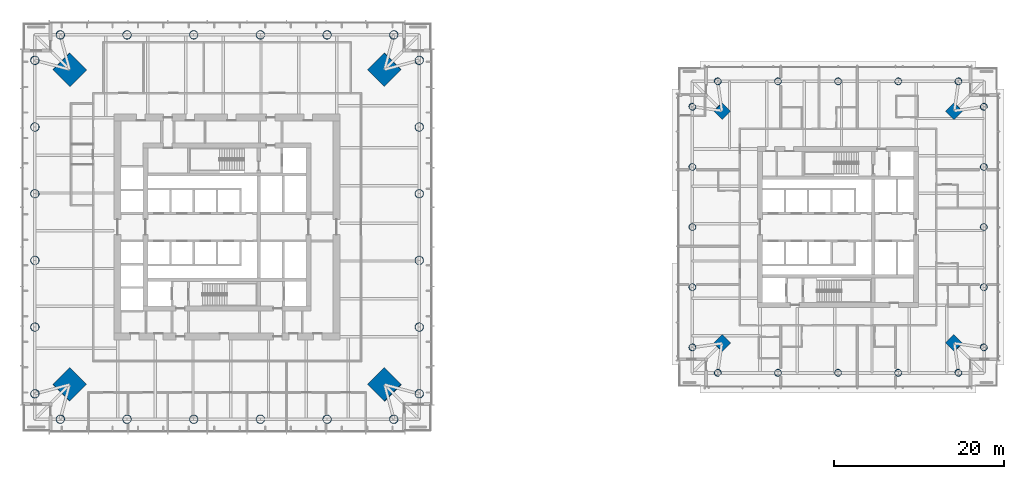
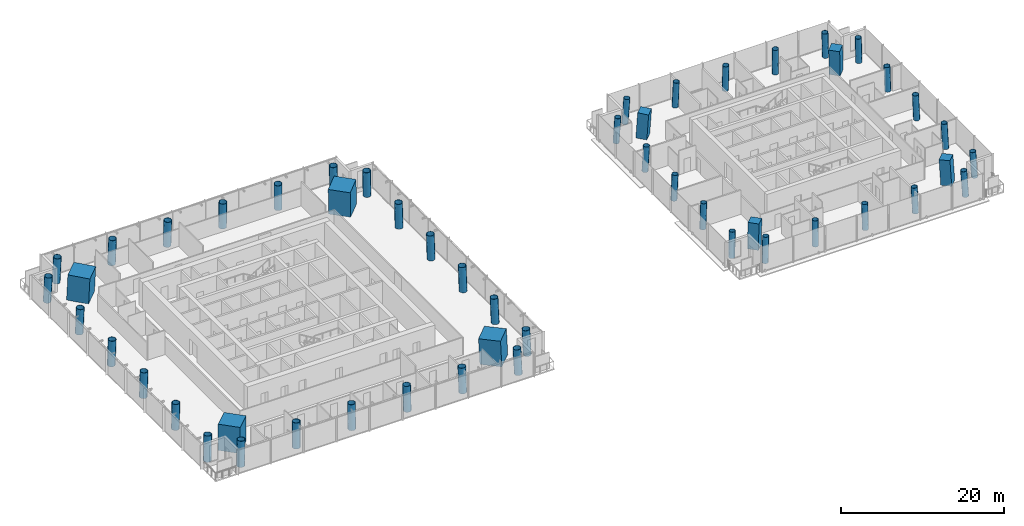
# One storey, part 1 of 22: 52 columns.
"""IFC4 building model written with IfcOpenShell, lengths in metres."""

from ifc_helpers import new_model, si_unit, direction, frame, origin, origin_2d, place, context, subcontext, project, spatial, rectangle, hollow_circle, extrude, material, material_profile, profile_set, type_object, element, save


model = new_model("IFC4")

# Units and contexts
model_context = context("Model", 3, precision=1e-05, world=origin(), true_north=direction((0.0, 1.0)))
body_context = subcontext(model_context, "Body", "Model", "MODEL_VIEW")
ifc_project = project(units=[si_unit("LENGTHUNIT", "METRE"), si_unit("AREAUNIT", "SQUARE_METRE"), si_unit("VOLUMEUNIT", "CUBIC_METRE"), si_unit("PLANEANGLEUNIT", "RADIAN"), si_unit("MASSUNIT", "GRAM", prefix="KILO")], contexts=[model_context])

# Site, building, storey
site_placement = place(None, origin())
site = spatial("IfcSite", under=ifc_project, at=site_placement, CompositionType="ELEMENT")
building_placement = place(site_placement, origin())
building = spatial("IfcBuilding", under=site, at=building_placement, Name="Ostroluk Exchange", CompositionType="ELEMENT")
storey_placement = place(building_placement, frame((0.0, 0.0, 62.800048828125)))
storey = spatial("IfcBuildingStorey", under=building, at=storey_placement, Name="L15", CompositionType="ELEMENT", Elevation=62.800048828125)

# Columns
ifc_material_1 = material(Name="Concrete C50/60", Category="concrete")
ifc_material_profile_1 = material_profile(ifc_material_1, rectangle(XDim=1.39990234375, YDim=1.39990234375, at=origin_2d()), Name="RC 1400x1400")
ifc_profile_set_1 = profile_set([ifc_material_profile_1], Name="Concrete C50/60")
column_type_1 = type_object("IfcColumnType", Name="Mega column RC 1400x1400", PredefinedType="COLUMN", material=ifc_profile_set_1)
for number, where, z_axis, x_axis, name in (
    (1, (130.6982421875, 59.6982421875, 0.0), (-0.043029647111, -0.043029647111, 0.998146732169), (0.707106781187, -0.707106781187, 0.0), "T2 mega column NE"),
    (2, (103.3017578125, 59.6982421875, 0.0), (0.043029647111, -0.043029647111, 0.998146732169), (0.707106781187, 0.707106781187, 0.0), "T2 mega column NW"),
    (3, (103.3017578125, 32.3017578125, 0.0), (0.043029647111, 0.043029647111, 0.998146732169), (-0.707106781187, 0.707106781187, 0.0), "T2 mega column SW"),
    (4, (130.6982421875, 32.3017578125, 0.0), (-0.043029647111, 0.043029647111, 0.998146732169), (-0.707106781187, -0.707106781187, 0.0), "T2 mega column SE"),
):
    element("IfcColumn", number, at=place(storey_placement, frame(where, z_axis=z_axis, x_axis=x_axis)), inside=storey, type_object=column_type_1, Name=name, PredefinedType="COLUMN", context=body_context, shape_type="SweptSolid", body=[
        extrude(rectangle(XDim=1.39990234375, YDim=1.39990234375, at=origin_2d()), origin(), (0.0, 0.0, 1.0), 3.80712890625),
    ])
ifc_material_2 = material(Name="Concrete C50/60", Category="concrete")
ifc_material_profile_2 = material_profile(ifc_material_2, rectangle(XDim=2.800048828125, YDim=2.800048828125, at=origin_2d()), Name="RC 2800x2800")
ifc_profile_set_2 = profile_set([ifc_material_profile_2], Name="Concrete C50/60")
column_type_2 = type_object("IfcColumnType", Name="Mega column RC 2800x2800", PredefinedType="COLUMN", material=ifc_profile_set_2)
for number, where, z_axis, x_axis, name in (
    (5, (63.564208984375, 64.564208984375, 0.0), (-0.031898107953, -0.031898107953, 0.998981992539), (0.707106781187, -0.707106781187, 0.0), "T1 mega column NE"),
    (6, (26.435791015625, 64.564208984375, 0.0), (0.031898107953, -0.031898107953, 0.998981992539), (0.707106781187, 0.707106781187, 0.0), "T1 mega column NW"),
    (7, (26.435791015625, 27.435791015625, 0.0), (0.031898107953, 0.031898107953, 0.998981992539), (-0.707106781187, 0.707106781187, 0.0), "T1 mega column SW"),
    (8, (63.564208984375, 27.435791015625, 0.0), (-0.031898107953, 0.031898107953, 0.998981992539), (-0.707106781187, -0.707106781187, 0.0), "T1 mega column SE"),
):
    element("IfcColumn", number, at=place(storey_placement, frame(where, z_axis=z_axis, x_axis=x_axis)), inside=storey, type_object=column_type_2, Name=name, PredefinedType="COLUMN", context=body_context, shape_type="SweptSolid", body=[
        extrude(rectangle(XDim=2.800048828125, YDim=2.800048828125, at=origin_2d()), origin(), (0.0, 0.0, 1.0), 3.803955078125),
    ])
ifc_material_3 = material(Name="Steel S460", Category="steel")
ifc_material_profile_3 = material_profile(ifc_material_3, hollow_circle(Radius=0.508056640625, WallThickness=0.0400390625, at=origin_2d()), Name="CHS 1016x40")
ifc_profile_set_3 = profile_set([ifc_material_profile_3], Name="Steel S460")
column_type_3 = type_object("IfcColumnType", Name="Perimeter column CHS 1016x40", PredefinedType="COLUMN", material=ifc_profile_set_3)
for number, where, z_axis, x_axis, name in (
    (9, (67.664306640625, 26.335693359375, 0.0), (-0.031898107953, 0.031898107953, 0.998981992539), (-0.707106781187, -0.707106781187, 0.0), "T1 east face column E0"),
    (10, (67.664306640625, 65.664306640625, 0.0), (-0.031898107953, -0.031898107953, 0.998981992539), (0.707106781187, -0.707106781187, 0.0), "T1 east face column E1"),
):
    element("IfcColumn", number, at=place(storey_placement, frame(where, z_axis=z_axis, x_axis=x_axis)), inside=storey, type_object=column_type_3, Name=name, PredefinedType="COLUMN", context=body_context, shape_type="SweptSolid", body=[
        extrude(hollow_circle(Radius=0.508056640625, WallThickness=0.0400390625, at=origin_2d()), origin(), (0.0, 0.0, 1.0), 3.803955078125),
    ])
column_1_placement = place(storey_placement, frame((67.664306640625, 34.201416015625, 0.0), z_axis=(-0.031908506785, 0.019132263625, 0.999307662176), x_axis=(-0.514241961696, -0.857645150882, 0.0)))
element("IfcColumn", 11, at=column_1_placement, inside=storey, type_object=column_type_3, Name="T1 east face column I1", PredefinedType="COLUMN", context=body_context, shape_type="SweptSolid", body=[
    extrude(hollow_circle(Radius=0.508056640625, WallThickness=0.0400390625, at=origin_2d()), origin(), (0.0, 0.0, 1.0), 3.802734375),
])
for number, where, z_axis, x_axis, name in (
    (12, (67.664306640625, 42.067138671875, 0.0), (-0.031913703469, 0.006357055621, 0.999470411455), (-0.195357113251, -0.980732174603, 0.0), "T1 east face column I2"),
    (13, (67.664306640625, 49.932861328125, 0.0), (-0.031913703469, -0.006357055621, 0.999470411455), (0.195357113251, -0.980732174603, 0.0), "T1 east face column I3"),
):
    element("IfcColumn", number, at=place(storey_placement, frame(where, z_axis=z_axis, x_axis=x_axis)), inside=storey, type_object=column_type_3, Name=name, PredefinedType="COLUMN", context=body_context, shape_type="SweptSolid", body=[
        extrude(hollow_circle(Radius=0.508056640625, WallThickness=0.0400390625, at=origin_2d()), origin(), (0.0, 0.0, 1.0), 3.802001953125),
    ])
column_2_placement = place(storey_placement, frame((67.664306640625, 57.798583984375, 0.0), z_axis=(-0.031908506785, -0.019132263625, 0.999307662176), x_axis=(0.514241961696, -0.857645150882, 0.0)))
element("IfcColumn", 14, at=column_2_placement, inside=storey, type_object=column_type_3, Name="T1 east face column I4", PredefinedType="COLUMN", context=body_context, shape_type="SweptSolid", body=[
    extrude(hollow_circle(Radius=0.508056640625, WallThickness=0.0400390625, at=origin_2d()), origin(), (0.0, 0.0, 1.0), 3.802734375),
])
for number, where, z_axis, x_axis, name in (
    (15, (64.664306640625, 68.664306640625, 0.0), (-0.031898107953, -0.031898107953, 0.998981992539), (0.707106781187, -0.707106781187, 0.0), "T1 north face column E0"),
    (16, (25.335693359375, 68.664306640625, 0.0), (0.031898107953, -0.031898107953, 0.998981992539), (0.707106781187, 0.707106781187, 0.0), "T1 north face column E1"),
):
    element("IfcColumn", number, at=place(storey_placement, frame(where, z_axis=z_axis, x_axis=x_axis)), inside=storey, type_object=column_type_3, Name=name, PredefinedType="COLUMN", context=body_context, shape_type="SweptSolid", body=[
        extrude(hollow_circle(Radius=0.508056640625, WallThickness=0.0400390625, at=origin_2d()), origin(), (0.0, 0.0, 1.0), 3.803955078125),
    ])
column_3_placement = place(storey_placement, frame((56.798583984375, 68.664306640625, 0.0), z_axis=(-0.019132263625, -0.031908506785, 0.999307662176), x_axis=(0.857645150882, -0.514241961696, 0.0)))
element("IfcColumn", 17, at=column_3_placement, inside=storey, type_object=column_type_3, Name="T1 north face column I1", PredefinedType="COLUMN", context=body_context, shape_type="SweptSolid", body=[
    extrude(hollow_circle(Radius=0.508056640625, WallThickness=0.0400390625, at=origin_2d()), origin(), (0.0, 0.0, 1.0), 3.802734375),
])
for number, where, z_axis, x_axis, name in (
    (18, (48.932861328125, 68.664306640625, 0.0), (-0.006357055621, -0.031913703469, 0.999470411455), (0.980732174603, -0.195357113251, 0.0), "T1 north face column I2"),
    (19, (41.067138671875, 68.664306640625, 0.0), (0.006357055621, -0.031913703469, 0.999470411455), (0.980732174603, 0.195357113251, 0.0), "T1 north face column I3"),
):
    element("IfcColumn", number, at=place(storey_placement, frame(where, z_axis=z_axis, x_axis=x_axis)), inside=storey, type_object=column_type_3, Name=name, PredefinedType="COLUMN", context=body_context, shape_type="SweptSolid", body=[
        extrude(hollow_circle(Radius=0.508056640625, WallThickness=0.0400390625, at=origin_2d()), origin(), (0.0, 0.0, 1.0), 3.802001953125),
    ])
column_4_placement = place(storey_placement, frame((33.201416015625, 68.664306640625, 0.0), z_axis=(0.019132263625, -0.031908506785, 0.999307662176), x_axis=(0.857645150882, 0.514241961696, 0.0)))
element("IfcColumn", 20, at=column_4_placement, inside=storey, type_object=column_type_3, Name="T1 north face column I4", PredefinedType="COLUMN", context=body_context, shape_type="SweptSolid", body=[
    extrude(hollow_circle(Radius=0.508056640625, WallThickness=0.0400390625, at=origin_2d()), origin(), (0.0, 0.0, 1.0), 3.802734375),
])
for number, where, z_axis, x_axis, name in (
    (21, (22.335693359375, 65.664306640625, 0.0), (0.031898107953, -0.031898107953, 0.998981992539), (0.707106781187, 0.707106781187, 0.0), "T1 west face column E0"),
    (22, (22.335693359375, 26.335693359375, 0.0), (0.031898107953, 0.031898107953, 0.998981992539), (-0.707106781187, 0.707106781187, 0.0), "T1 west face column E1"),
):
    element("IfcColumn", number, at=place(storey_placement, frame(where, z_axis=z_axis, x_axis=x_axis)), inside=storey, type_object=column_type_3, Name=name, PredefinedType="COLUMN", context=body_context, shape_type="SweptSolid", body=[
        extrude(hollow_circle(Radius=0.508056640625, WallThickness=0.0400390625, at=origin_2d()), origin(), (0.0, 0.0, 1.0), 3.803955078125),
    ])
column_5_placement = place(storey_placement, frame((22.335693359375, 57.798583984375, 0.0), z_axis=(0.031908506785, -0.019132263625, 0.999307662176), x_axis=(0.514241961696, 0.857645150882, 0.0)))
element("IfcColumn", 23, at=column_5_placement, inside=storey, type_object=column_type_3, Name="T1 west face column I1", PredefinedType="COLUMN", context=body_context, shape_type="SweptSolid", body=[
    extrude(hollow_circle(Radius=0.508056640625, WallThickness=0.0400390625, at=origin_2d()), origin(), (0.0, 0.0, 1.0), 3.802734375),
])
for number, where, z_axis, x_axis, name in (
    (24, (22.335693359375, 49.932861328125, 0.0), (0.031913703469, -0.006357055621, 0.999470411455), (0.195357113251, 0.980732174603, 0.0), "T1 west face column I2"),
    (25, (22.335693359375, 42.067138671875, 0.0), (0.031913703469, 0.006357055621, 0.999470411455), (-0.195357113251, 0.980732174603, 0.0), "T1 west face column I3"),
):
    element("IfcColumn", number, at=place(storey_placement, frame(where, z_axis=z_axis, x_axis=x_axis)), inside=storey, type_object=column_type_3, Name=name, PredefinedType="COLUMN", context=body_context, shape_type="SweptSolid", body=[
        extrude(hollow_circle(Radius=0.508056640625, WallThickness=0.0400390625, at=origin_2d()), origin(), (0.0, 0.0, 1.0), 3.802001953125),
    ])
column_6_placement = place(storey_placement, frame((22.335693359375, 34.201416015625, 0.0), z_axis=(0.031908506785, 0.019132263625, 0.999307662176), x_axis=(-0.514241961696, 0.857645150882, 0.0)))
element("IfcColumn", 26, at=column_6_placement, inside=storey, type_object=column_type_3, Name="T1 west face column I4", PredefinedType="COLUMN", context=body_context, shape_type="SweptSolid", body=[
    extrude(hollow_circle(Radius=0.508056640625, WallThickness=0.0400390625, at=origin_2d()), origin(), (0.0, 0.0, 1.0), 3.802734375),
])
for number, where, z_axis, x_axis, name in (
    (27, (25.335693359375, 23.335693359375, 0.0), (0.031898107953, 0.031898107953, 0.998981992539), (-0.707106781187, 0.707106781187, 0.0), "T1 south face column E0"),
    (28, (64.664306640625, 23.335693359375, 0.0), (-0.031898107953, 0.031898107953, 0.998981992539), (-0.707106781187, -0.707106781187, 0.0), "T1 south face column E1"),
):
    element("IfcColumn", number, at=place(storey_placement, frame(where, z_axis=z_axis, x_axis=x_axis)), inside=storey, type_object=column_type_3, Name=name, PredefinedType="COLUMN", context=body_context, shape_type="SweptSolid", body=[
        extrude(hollow_circle(Radius=0.508056640625, WallThickness=0.0400390625, at=origin_2d()), origin(), (0.0, 0.0, 1.0), 3.803955078125),
    ])
column_7_placement = place(storey_placement, frame((33.201416015625, 23.335693359375, 0.0), z_axis=(0.019132263625, 0.031908506785, 0.999307662176), x_axis=(-0.857645150882, 0.514241961696, 0.0)))
element("IfcColumn", 29, at=column_7_placement, inside=storey, type_object=column_type_3, Name="T1 south face column I1", PredefinedType="COLUMN", context=body_context, shape_type="SweptSolid", body=[
    extrude(hollow_circle(Radius=0.508056640625, WallThickness=0.0400390625, at=origin_2d()), origin(), (0.0, 0.0, 1.0), 3.802734375),
])
for number, where, z_axis, x_axis, name in (
    (30, (41.067138671875, 23.335693359375, 0.0), (0.006357055621, 0.031913703469, 0.999470411455), (-0.980732174603, 0.195357113251, 0.0), "T1 south face column I2"),
    (31, (48.932861328125, 23.335693359375, 0.0), (-0.006357055621, 0.031913703469, 0.999470411455), (-0.980732174603, -0.195357113251, 0.0), "T1 south face column I3"),
):
    element("IfcColumn", number, at=place(storey_placement, frame(where, z_axis=z_axis, x_axis=x_axis)), inside=storey, type_object=column_type_3, Name=name, PredefinedType="COLUMN", context=body_context, shape_type="SweptSolid", body=[
        extrude(hollow_circle(Radius=0.508056640625, WallThickness=0.0400390625, at=origin_2d()), origin(), (0.0, 0.0, 1.0), 3.802001953125),
    ])
column_8_placement = place(storey_placement, frame((56.798583984375, 23.335693359375, 0.0), z_axis=(-0.019132263625, 0.031908506785, 0.999307662176), x_axis=(-0.857645150882, -0.514241961696, 0.0)))
element("IfcColumn", 32, at=column_8_placement, inside=storey, type_object=column_type_3, Name="T1 south face column I4", PredefinedType="COLUMN", context=body_context, shape_type="SweptSolid", body=[
    extrude(hollow_circle(Radius=0.508056640625, WallThickness=0.0400390625, at=origin_2d()), origin(), (0.0, 0.0, 1.0), 3.802734375),
])
ifc_material_4 = material(Name="Steel S460", Category="steel")
ifc_material_profile_4 = material_profile(ifc_material_4, hollow_circle(Radius=0.406494140625, WallThickness=0.030029296875, at=origin_2d()), Name="CHS 813x30")
ifc_profile_set_4 = profile_set([ifc_material_profile_4], Name="Steel S460")
column_type_4 = type_object("IfcColumnType", Name="Perimeter column CHS 813x30", PredefinedType="COLUMN", material=ifc_profile_set_4)
for number, where, z_axis, x_axis, name in (
    (33, (134.1982421875, 31.8017578125, 0.0), (-0.043029647111, 0.043029647111, 0.998146732169), (-0.707106781187, -0.707106781187, 0.0), "T2 east face column E0"),
    (34, (134.1982421875, 60.1982421875, 0.0), (-0.043029647111, -0.043029647111, 0.998146732169), (0.707106781187, -0.707106781187, 0.0), "T2 east face column E1"),
):
    element("IfcColumn", number, at=place(storey_placement, frame(where, z_axis=z_axis, x_axis=x_axis)), inside=storey, type_object=column_type_4, Name=name, PredefinedType="COLUMN", context=body_context, shape_type="SweptSolid", body=[
        extrude(hollow_circle(Radius=0.406494140625, WallThickness=0.030029296875, at=origin_2d()), origin(), (0.0, 0.0, 1.0), 3.80712890625),
    ])
column_9_placement = place(storey_placement, frame((134.1982421875, 38.90087890625, 0.0), z_axis=(-0.043059584825, 0.021497706284, 0.998841188968), x_axis=(-0.446680166538, -0.894693706707, 0.0)))
element("IfcColumn", 35, at=column_9_placement, inside=storey, type_object=column_type_4, Name="T2 east face column I1", PredefinedType="COLUMN", context=body_context, shape_type="SweptSolid", body=[
    extrude(hollow_circle(Radius=0.406494140625, WallThickness=0.030029296875, at=origin_2d()), origin(), (0.0, 0.0, 1.0), 3.804443359375),
])
column_10_placement = place(storey_placement, frame((134.1982421875, 46.0, 0.0), z_axis=(-0.043069538298, 0.0, 0.999072076915), x_axis=(0.0, -1.0, 0.0)))
element("IfcColumn", 36, at=column_10_placement, inside=storey, type_object=column_type_4, Name="T2 east face column I2", PredefinedType="COLUMN", context=body_context, shape_type="SweptSolid", body=[
    extrude(hollow_circle(Radius=0.406494140625, WallThickness=0.030029296875, at=origin_2d()), origin(), (0.0, 0.0, 1.0), 3.803466796875),
])
column_11_placement = place(storey_placement, frame((134.1982421875, 53.09912109375, 0.0), z_axis=(-0.043059584825, -0.021497706284, 0.998841188968), x_axis=(0.446680166538, -0.894693706707, 0.0)))
element("IfcColumn", 37, at=column_11_placement, inside=storey, type_object=column_type_4, Name="T2 east face column I3", PredefinedType="COLUMN", context=body_context, shape_type="SweptSolid", body=[
    extrude(hollow_circle(Radius=0.406494140625, WallThickness=0.030029296875, at=origin_2d()), origin(), (0.0, 0.0, 1.0), 3.804443359375),
])
for number, where, z_axis, x_axis, name in (
    (38, (131.1982421875, 63.1982421875, 0.0), (-0.043029647111, -0.043029647111, 0.998146732169), (0.707106781187, -0.707106781187, 0.0), "T2 north face column E0"),
    (39, (102.8017578125, 63.1982421875, 0.0), (0.043029647111, -0.043029647111, 0.998146732169), (0.707106781187, 0.707106781187, 0.0), "T2 north face column E1"),
):
    element("IfcColumn", number, at=place(storey_placement, frame(where, z_axis=z_axis, x_axis=x_axis)), inside=storey, type_object=column_type_4, Name=name, PredefinedType="COLUMN", context=body_context, shape_type="SweptSolid", body=[
        extrude(hollow_circle(Radius=0.406494140625, WallThickness=0.030029296875, at=origin_2d()), origin(), (0.0, 0.0, 1.0), 3.80712890625),
    ])
column_12_placement = place(storey_placement, frame((124.09912109375, 63.1982421875, 0.0), z_axis=(-0.021497706284, -0.043059584825, 0.998841188968), x_axis=(0.894693706707, -0.446680166538, 0.0)))
element("IfcColumn", 40, at=column_12_placement, inside=storey, type_object=column_type_4, Name="T2 north face column I1", PredefinedType="COLUMN", context=body_context, shape_type="SweptSolid", body=[
    extrude(hollow_circle(Radius=0.406494140625, WallThickness=0.030029296875, at=origin_2d()), origin(), (0.0, 0.0, 1.0), 3.804443359375),
])
column_13_placement = place(storey_placement, frame((117.0, 63.1982421875, 0.0), z_axis=(0.0, -0.043069538298, 0.999072076915), x_axis=(1.0, 0.0, 0.0)))
element("IfcColumn", 41, at=column_13_placement, inside=storey, type_object=column_type_4, Name="T2 north face column I2", PredefinedType="COLUMN", context=body_context, shape_type="SweptSolid", body=[
    extrude(hollow_circle(Radius=0.406494140625, WallThickness=0.030029296875, at=origin_2d()), origin(), (0.0, 0.0, 1.0), 3.803466796875),
])
column_14_placement = place(storey_placement, frame((109.90087890625, 63.1982421875, 0.0), z_axis=(0.021497706284, -0.043059584825, 0.998841188968), x_axis=(0.894693706707, 0.446680166538, 0.0)))
element("IfcColumn", 42, at=column_14_placement, inside=storey, type_object=column_type_4, Name="T2 north face column I3", PredefinedType="COLUMN", context=body_context, shape_type="SweptSolid", body=[
    extrude(hollow_circle(Radius=0.406494140625, WallThickness=0.030029296875, at=origin_2d()), origin(), (0.0, 0.0, 1.0), 3.804443359375),
])
for number, where, z_axis, x_axis, name in (
    (43, (99.8017578125, 60.1982421875, 0.0), (0.043029647111, -0.043029647111, 0.998146732169), (0.707106781187, 0.707106781187, 0.0), "T2 west face column E0"),
    (44, (99.8017578125, 31.8017578125, 0.0), (0.043029647111, 0.043029647111, 0.998146732169), (-0.707106781187, 0.707106781187, 0.0), "T2 west face column E1"),
):
    element("IfcColumn", number, at=place(storey_placement, frame(where, z_axis=z_axis, x_axis=x_axis)), inside=storey, type_object=column_type_4, Name=name, PredefinedType="COLUMN", context=body_context, shape_type="SweptSolid", body=[
        extrude(hollow_circle(Radius=0.406494140625, WallThickness=0.030029296875, at=origin_2d()), origin(), (0.0, 0.0, 1.0), 3.80712890625),
    ])
column_15_placement = place(storey_placement, frame((99.8017578125, 53.09912109375, 0.0), z_axis=(0.043059584825, -0.021497706284, 0.998841188968), x_axis=(0.446680166538, 0.894693706707, 0.0)))
element("IfcColumn", 45, at=column_15_placement, inside=storey, type_object=column_type_4, Name="T2 west face column I1", PredefinedType="COLUMN", context=body_context, shape_type="SweptSolid", body=[
    extrude(hollow_circle(Radius=0.406494140625, WallThickness=0.030029296875, at=origin_2d()), origin(), (0.0, 0.0, 1.0), 3.804443359375),
])
column_16_placement = place(storey_placement, frame((99.8017578125, 46.0, 0.0), z_axis=(0.043069538298, 0.0, 0.999072076915), x_axis=(0.0, 1.0, 0.0)))
element("IfcColumn", 46, at=column_16_placement, inside=storey, type_object=column_type_4, Name="T2 west face column I2", PredefinedType="COLUMN", context=body_context, shape_type="SweptSolid", body=[
    extrude(hollow_circle(Radius=0.406494140625, WallThickness=0.030029296875, at=origin_2d()), origin(), (0.0, 0.0, 1.0), 3.803466796875),
])
column_17_placement = place(storey_placement, frame((99.8017578125, 38.90087890625, 0.0), z_axis=(0.043059584825, 0.021497706284, 0.998841188968), x_axis=(-0.446680166538, 0.894693706707, 0.0)))
element("IfcColumn", 47, at=column_17_placement, inside=storey, type_object=column_type_4, Name="T2 west face column I3", PredefinedType="COLUMN", context=body_context, shape_type="SweptSolid", body=[
    extrude(hollow_circle(Radius=0.406494140625, WallThickness=0.030029296875, at=origin_2d()), origin(), (0.0, 0.0, 1.0), 3.804443359375),
])
for number, where, z_axis, x_axis, name in (
    (48, (102.8017578125, 28.8017578125, 0.0), (0.043029647111, 0.043029647111, 0.998146732169), (-0.707106781187, 0.707106781187, 0.0), "T2 south face column E0"),
    (49, (131.1982421875, 28.8017578125, 0.0), (-0.043029647111, 0.043029647111, 0.998146732169), (-0.707106781187, -0.707106781187, 0.0), "T2 south face column E1"),
):
    element("IfcColumn", number, at=place(storey_placement, frame(where, z_axis=z_axis, x_axis=x_axis)), inside=storey, type_object=column_type_4, Name=name, PredefinedType="COLUMN", context=body_context, shape_type="SweptSolid", body=[
        extrude(hollow_circle(Radius=0.406494140625, WallThickness=0.030029296875, at=origin_2d()), origin(), (0.0, 0.0, 1.0), 3.80712890625),
    ])
column_18_placement = place(storey_placement, frame((109.90087890625, 28.8017578125, 0.0), z_axis=(0.021497706284, 0.043059584825, 0.998841188968), x_axis=(-0.894693706707, 0.446680166538, 0.0)))
element("IfcColumn", 50, at=column_18_placement, inside=storey, type_object=column_type_4, Name="T2 south face column I1", PredefinedType="COLUMN", context=body_context, shape_type="SweptSolid", body=[
    extrude(hollow_circle(Radius=0.406494140625, WallThickness=0.030029296875, at=origin_2d()), origin(), (0.0, 0.0, 1.0), 3.804443359375),
])
column_19_placement = place(storey_placement, frame((117.0, 28.8017578125, 0.0), z_axis=(0.0, 0.043069538298, 0.999072076915), x_axis=(-1.0, 0.0, 0.0)))
element("IfcColumn", 51, at=column_19_placement, inside=storey, type_object=column_type_4, Name="T2 south face column I2", PredefinedType="COLUMN", context=body_context, shape_type="SweptSolid", body=[
    extrude(hollow_circle(Radius=0.406494140625, WallThickness=0.030029296875, at=origin_2d()), origin(), (0.0, 0.0, 1.0), 3.803466796875),
])
column_20_placement = place(storey_placement, frame((124.09912109375, 28.8017578125, 0.0), z_axis=(-0.021497706284, 0.043059584825, 0.998841188968), x_axis=(-0.894693706707, -0.446680166538, 0.0)))
element("IfcColumn", 52, at=column_20_placement, inside=storey, type_object=column_type_4, Name="T2 south face column I3", PredefinedType="COLUMN", context=body_context, shape_type="SweptSolid", body=[
    extrude(hollow_circle(Radius=0.406494140625, WallThickness=0.030029296875, at=origin_2d()), origin(), (0.0, 0.0, 1.0), 3.804443359375),
])

save(model, "model.ifc")
